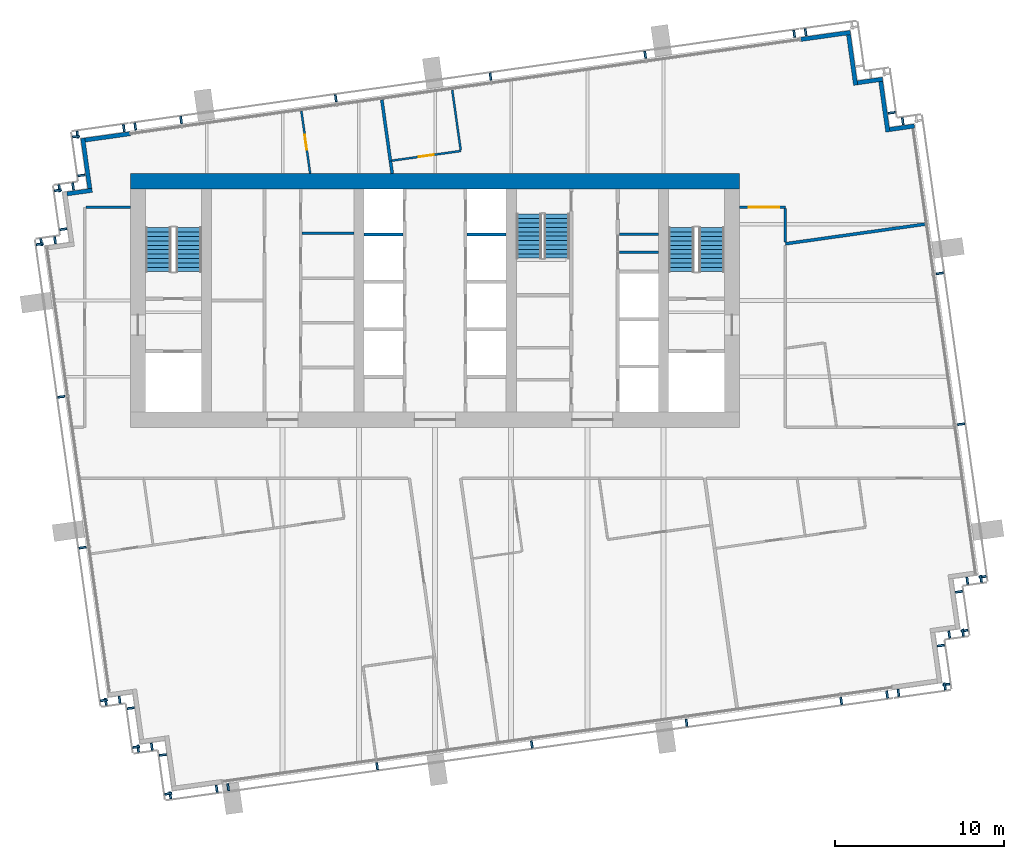
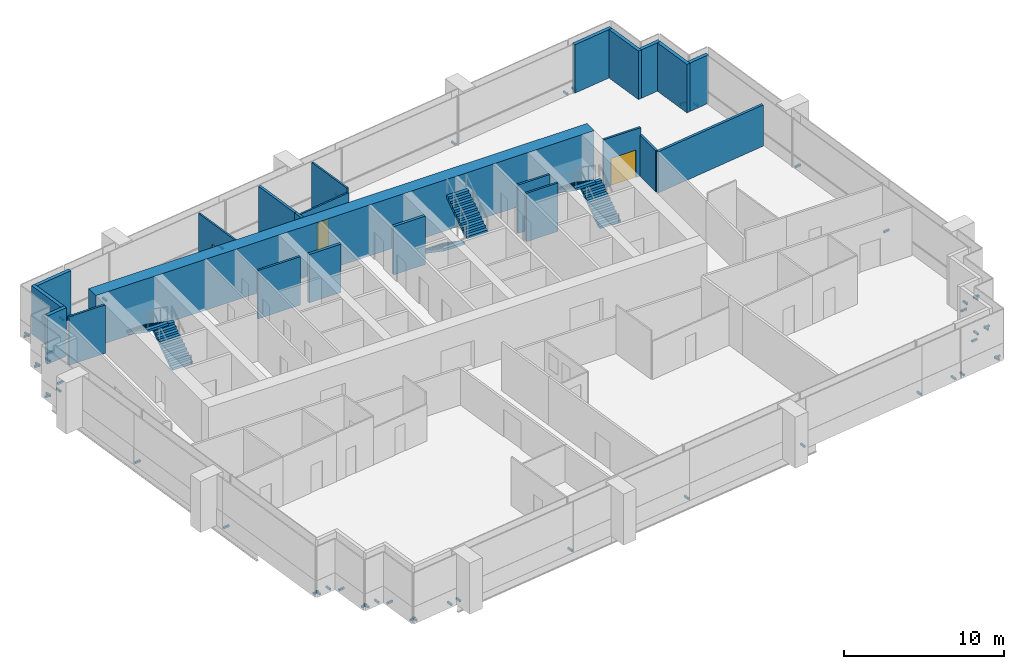
# One storey, part 12 of 18: 52 discrete accessories, 23 walls, 6 stair flights, 3 doors, 3 openings, 3 elements without a shape of their own.
"""IFC4 building model written with IfcOpenShell, lengths in metres."""

from ifc_helpers import new_model, si_unit, direction, frame, frame_2d, origin, origin_2d, place, context, subcontext, project, spatial, polyline, rectangle, outline, extrude, material, layer, layer_set, type_object, element, fill, aggregate, save


model = new_model("IFC4")

# Units and contexts
model_context = context("Model", 3, precision=1e-05, world=origin(), true_north=direction((0.0, 1.0)))
body_context = subcontext(model_context, "Body", "Model", "MODEL_VIEW")
ifc_project = project(units=[si_unit("LENGTHUNIT", "METRE"), si_unit("AREAUNIT", "SQUARE_METRE"), si_unit("VOLUMEUNIT", "CUBIC_METRE"), si_unit("PLANEANGLEUNIT", "RADIAN"), si_unit("MASSUNIT", "GRAM", prefix="KILO")], contexts=[model_context])

# Site, building, storey
site_placement = place(None, origin())
site = spatial("IfcSite", under=ifc_project, at=site_placement, CompositionType="ELEMENT")
building_placement = place(site_placement, origin())
building = spatial("IfcBuilding", under=site, at=building_placement, Name="Rattan Terrace Tower", CompositionType="ELEMENT")
storey_placement = place(building_placement, frame((0.0, 0.0, 233.0)))
storey = spatial("IfcBuildingStorey", under=building, at=storey_placement, Name="L53", CompositionType="ELEMENT", Elevation=233.0)

# Walls
ifc_material_1 = material(Name="Gypsum board partition")
ifc_layer_1 = layer(ifc_material_1, 0.14990234375)
ifc_layer_set_1 = layer_set([ifc_layer_1], Name="Core partition 150")
wall_type_1 = type_object("IfcWallType", Name="Core partition 150", PredefinedType="PARTITIONING", material=ifc_layer_set_1)
wall_1_placement = place(storey_placement, frame((-7.85009765625, 3.9599609375, 0.0), z_axis=(0.0, 0.0, 1.0), x_axis=(1.0, 0.0, 0.0)))
element("IfcWall", 1, at=wall_1_placement, inside=storey, type_object=wall_type_1, Name="Core room wall", PredefinedType="PARTITIONING", context=body_context, shape_type="SweptSolid", body=[
    extrude(rectangle(XDim=3.050048828125, YDim=0.14990234375, at=frame_2d((1.52490234375, 0.0))), origin(), (0.0, 0.0, 1.0), 3.699951171875),
])
for number, where, z_axis, x_axis, name in (
    (2, (10.89990234375, 2.85595703125, 0.0), (0.0, 0.0, 1.0), (1.0, 0.0, 0.0), "Riser room wall"),
    (3, (10.89990234375, 3.912109375, 0.0), (0.0, 0.0, 1.0), (1.0, 0.0, 0.0), "Riser room wall"),
):
    element("IfcWall", number, at=place(storey_placement, frame(where, z_axis=z_axis, x_axis=x_axis)), inside=storey, type_object=wall_type_1, Name=name, PredefinedType="PARTITIONING", context=body_context, shape_type="SweptSolid", body=[
        extrude(rectangle(XDim=2.300048828125, YDim=0.14990234375, at=frame_2d((1.14990234375, 0.0))), origin(), (0.0, 0.0, 1.0), 3.699951171875),
    ])
ifc_material_2 = material(Name="Concrete C50/60", Category="concrete")
ifc_layer_2 = layer(ifc_material_2, 0.89990234375)
ifc_layer_set_2 = layer_set([ifc_layer_2], Name="Core ring wall 900 C50/60")
wall_type_2 = type_object("IfcWallType", Name="Core ring wall 900 C50/60", PredefinedType="SHEAR", material=ifc_layer_set_2)
wall_2_placement = place(storey_placement, frame((-18.0, 7.050048828125, -0.199951171875), z_axis=(0.0, 0.0, 1.0), x_axis=(1.0, 0.0, 0.0)))
element("IfcWall", 4, at=wall_2_placement, inside=storey, type_object=wall_type_2, Name="Rear core wall north", PredefinedType="SHEAR", context=body_context, shape_type="SweptSolid", body=[
    extrude(rectangle(XDim=36.0, YDim=0.89990234375, at=frame_2d((18.0, 0.0))), origin(), (0.0, 0.0, 1.0), 3.89990234375),
])
ifc_material_3 = material(Name="Insulated aluminium-clad stud wall", Category="aluminium")
ifc_layer_3 = layer(ifc_material_3, 0.25)
ifc_layer_set_3 = layer_set([ifc_layer_3], Name="Facade Riser Wall 250")
wall_type_3 = type_object("IfcWallType", Name="Facade Riser Wall 250", PredefinedType="SOLIDWALL", material=ifc_layer_set_3)
wall_3_placement = place(storey_placement, frame((28.322265625, 10.308837890625, 0.0), z_axis=(0.0, 0.0, 1.0), x_axis=(-0.990235520307, -0.13940449893, 0.0)))
element("IfcWall", 5, at=wall_3_placement, inside=storey, type_object=wall_type_3, Name="Riser wall L53-6", PredefinedType="SOLIDWALL", context=body_context, shape_type="SweptSolid", body=[
    extrude(rectangle(XDim=1.474609375, YDim=0.25, at=frame_2d((0.7373046875, 0.0))), origin(), (0.0, 0.0, 1.0), 3.699951171875),
])
wall_4_placement = place(storey_placement, frame((26.755859375, 9.962158203125, 0.0), z_axis=(0.0, 0.0, 1.0), x_axis=(-0.139393225799, 0.990237107263, 0.0)))
element("IfcWall", 6, at=wall_4_placement, inside=storey, type_object=wall_type_3, Name="Riser wall L53-7", PredefinedType="SOLIDWALL", context=body_context, shape_type="SweptSolid", body=[
    extrude(rectangle(XDim=3.000244140625, YDim=0.25, at=frame_2d((1.5, 0.0))), origin(), (0.0, 0.0, 1.0), 3.699951171875),
])
wall_5_placement = place(storey_placement, frame((26.444091796875, 13.074462890625, 0.0), z_axis=(0.0, 0.0, 1.0), x_axis=(-0.990240434918, -0.139369584395, 0.0)))
element("IfcWall", 7, at=wall_5_placement, inside=storey, type_object=wall_type_3, Name="Riser wall L53-8", PredefinedType="SOLIDWALL", context=body_context, shape_type="SweptSolid", body=[
    extrude(rectangle(XDim=1.49951171875, YDim=0.25, at=frame_2d((0.749755859375, 0.0))), origin(), (0.0, 0.0, 1.0), 3.699951171875),
])
wall_6_placement = place(storey_placement, frame((24.852783203125, 12.72412109375, 0.0), z_axis=(0.0, 0.0, 1.0), x_axis=(-0.139302206688, 0.990249915532, 0.0)))
element("IfcWall", 8, at=wall_6_placement, inside=storey, type_object=wall_type_3, Name="Riser wall L53-9", PredefinedType="SOLIDWALL", context=body_context, shape_type="SweptSolid", body=[
    extrude(rectangle(XDim=3.00048828125, YDim=0.25, at=frame_2d((1.500244140625, 0.0))), origin(), (0.0, 0.0, 1.0), 3.699951171875),
])
wall_7_placement = place(storey_placement, frame((24.541015625, 15.83642578125, 0.0), z_axis=(0.0, 0.0, 1.0), x_axis=(-0.990285396533, -0.139049751574, 0.0)))
element("IfcWall", 9, at=wall_7_placement, inside=storey, type_object=wall_type_3, Name="Riser wall L53-10", PredefinedType="SOLIDWALL", context=body_context, shape_type="SweptSolid", body=[
    extrude(rectangle(XDim=2.955078125, YDim=0.25, at=frame_2d((1.4775390625, 0.0))), origin(), (0.0, 0.0, 1.0), 3.699951171875),
])
wall_8_placement = place(storey_placement, frame((-17.995361328125, 9.858642578125, 0.0), z_axis=(0.0, 0.0, 1.0), x_axis=(-0.99024510326, -0.139336411139, 0.0)))
element("IfcWall", 10, at=wall_8_placement, inside=storey, type_object=wall_type_3, Name="Riser wall L53-11", PredefinedType="SOLIDWALL", context=body_context, shape_type="SweptSolid", body=[
    extrude(rectangle(XDim=2.705322265625, YDim=0.25, at=frame_2d((1.3525390625, 0.0))), origin(), (0.0, 0.0, 1.0), 3.699951171875),
])
wall_9_placement = place(storey_placement, frame((-20.8154296875, 9.588134765625, 0.0), z_axis=(0.0, 0.0, 1.0), x_axis=(0.138983028379, -0.9902947631, 0.0)))
element("IfcWall", 11, at=wall_9_placement, inside=storey, type_object=wall_type_3, Name="Riser wall L53-12", PredefinedType="SOLIDWALL", context=body_context, shape_type="SweptSolid", body=[
    extrude(rectangle(XDim=3.000244140625, YDim=0.25, at=frame_2d((1.5, 0.0))), origin(), (0.0, 0.0, 1.0), 3.699951171875),
])
wall_10_placement = place(storey_placement, frame((-20.25732421875, 6.510498046875, 0.0), z_axis=(0.0, 0.0, 1.0), x_axis=(-0.990330117064, -0.138730887823, 0.0)))
element("IfcWall", 12, at=wall_10_placement, inside=storey, type_object=wall_type_3, Name="Riser wall L53-13", PredefinedType="SOLIDWALL", context=body_context, shape_type="SweptSolid", body=[
    extrude(rectangle(XDim=1.499267578125, YDim=0.25, at=frame_2d((0.74951171875, 0.0))), origin(), (0.0, 0.0, 1.0), 3.699951171875),
])
ifc_material_4 = material(Name="Double steel stud acoustic partition, gypsum board, mineral wool, fire rated", Category="steel")
ifc_layer_4 = layer(ifc_material_4, 0.179931640625)
ifc_layer_set_4 = layer_set([ifc_layer_4], Name="Floors Acoustic Party Wall 180")
wall_type_4 = type_object("IfcWallType", Name="Floors Acoustic Party Wall 180", PredefinedType="PARTITIONING", material=ifc_layer_set_4)
wall_11_placement = place(storey_placement, frame((-2.632080078125, 8.22998046875, 0.0), z_axis=(0.0, 0.0, 1.0), x_axis=(0.138452925943, -0.99036901572, 0.0)))
element("IfcWall", 13, at=wall_11_placement, inside=storey, type_object=wall_type_4, Name="pt-L53-047", PredefinedType="PARTITIONING", context=body_context, shape_type="SweptSolid", body=[
    extrude(rectangle(XDim=0.737060546875, YDim=0.179931640625, at=frame_2d((0.36865234375, 0.0))), origin(), (0.0, 0.0, 1.0), 3.699951171875),
])
wall_12_placement = place(storey_placement, frame((-3.14208984375, 11.85595703125, 0.0), z_axis=(0.0, 0.0, 1.0), x_axis=(0.139058624332, -0.990284150635, 0.0)))
element("IfcWall", 14, at=wall_12_placement, inside=storey, type_object=wall_type_4, Name="pt-L53-048", PredefinedType="PARTITIONING", context=body_context, shape_type="SweptSolid", body=[
    extrude(rectangle(XDim=3.66064453125, YDim=0.179931640625, at=frame_2d((1.830322265625, 0.0))), origin(), (0.0, 0.0, 1.0), 3.699951171875),
])
wall_13_placement = place(storey_placement, frame((20.699951171875, 3.35009765625, 0.0), z_axis=(0.0, 0.0, 1.0), x_axis=(0.990269965101, 0.139159606996, 0.0)))
element("IfcWall", 15, at=wall_13_placement, inside=storey, type_object=wall_type_4, Name="pt-L53-051", PredefinedType="PARTITIONING", context=body_context, shape_type="SweptSolid", body=[
    extrude(rectangle(XDim=8.328125, YDim=0.179931640625, at=frame_2d((4.1640625, 0.0))), origin(), (0.0, 0.0, 1.0), 3.14990234375),
])
ifc_material_5 = material(Name="Gypsum board partition on steel studs, fire rated", Category="steel")
ifc_layer_5 = layer(ifc_material_5, 0.14990234375)
ifc_layer_set_5 = layer_set([ifc_layer_5], Name="Floors Tenancy Wall 150")
wall_type_5 = type_object("IfcWallType", Name="Floors Tenancy Wall 150", PredefinedType="PARTITIONING", material=ifc_layer_set_5)
wall_14_placement = place(storey_placement, frame((-20.625, 5.5009765625, 0.0), z_axis=(0.0, 0.0, 1.0), x_axis=(1.0, 0.0, 0.0)))
element("IfcWall", 16, at=wall_14_placement, inside=storey, type_object=wall_type_5, Name="pt-L53-018", PredefinedType="PARTITIONING", context=body_context, shape_type="SweptSolid", body=[
    extrude(rectangle(XDim=2.625, YDim=0.14990234375, at=frame_2d((1.3125, 0.0))), origin(), (0.0, 0.0, 1.0), 3.699951171875),
])

# Wall, opening, door
wall_15_placement = place(storey_placement, frame((18.0, 5.5, 0.0), z_axis=(0.0, 0.0, 1.0), x_axis=(1.0, 0.0, 0.0)))
wall_15 = element("IfcWall", 17, at=wall_15_placement, inside=storey, type_object=wall_type_5, Name="pt-L53-023", PredefinedType="PARTITIONING", context=body_context, shape_type="SweptSolid", body=[
    extrude(rectangle(XDim=2.699951171875, YDim=0.14990234375, at=frame_2d((1.35009765625, 0.0))), origin(), (0.0, 0.0, 1.0), 3.699951171875),
])
opening_1_placement = place(wall_15_placement, frame((0.550048828125, 0.0, 0.0)))
opening_1 = element("IfcOpeningElement", 18, at=opening_1_placement, cuts=wall_15, Name="Opening L53-D116", PredefinedType="OPENING", context=body_context, shape_type="SweptSolid", body=[
    extrude(rectangle(XDim=1.800048828125, YDim=2.10009765625, at=frame_2d((0.89990234375, 1.050048828125))), frame((0.0, 0.08544921875, 0.0), z_axis=(0.0, -1.0, 0.0), x_axis=(1.0, 0.0, 0.0)), (0.0, 0.0, 1.0), 0.1708984375),
])
ifc_material_6 = material(Name="Steel fire door set", Category="steel")
door_type_1 = type_object("IfcDoorType", Name="Floors Fire Door Pair FD30S 1800x2100", OperationType="NOTDEFINED", PredefinedType="DOOR", material=ifc_material_6)
door_1_placement = place(opening_1_placement, origin())
door_1 = element("IfcDoor", 19, at=door_1_placement, inside=storey, type_object=door_type_1, Name="d-L53-116", OperationType="DOUBLE_DOOR_SINGLE_SWING", OverallHeight=2.10009765625, OverallWidth=1.800048828125, PredefinedType="DOOR", context=body_context, shape_type="SweptSolid", body=[
    extrude(rectangle(XDim=1.800048828125, YDim=2.10009765625, at=frame_2d((0.89990234375, 1.050048828125))), frame((0.0, 0.02490234375, 0.0), z_axis=(0.0, -1.0, 0.0), x_axis=(1.0, 0.0, 0.0)), (0.0, 0.0, 1.0), 0.050048828125),
])
fill(opening_1, door_1)

# Wall
wall_16_placement = place(storey_placement, frame((20.699951171875, 5.425048828125, 0.0), z_axis=(0.0, 0.0, 1.0), x_axis=(0.0, -1.0, 0.0)))
element("IfcWall", 20, at=wall_16_placement, inside=storey, type_object=wall_type_5, Name="pt-L53-024", PredefinedType="PARTITIONING", context=body_context, shape_type="SweptSolid", body=[
    extrude(rectangle(XDim=1.97412109375, YDim=0.14990234375, at=frame_2d((0.987060546875, 0.0))), origin(), (0.0, 0.0, 1.0), 3.14990234375),
])

# Wall, opening, door
ifc_material_7 = material(Name="Moisture resistant gypsum board partition on steel studs with service cavity", Category="steel")
ifc_layer_6 = layer(ifc_material_7, 0.1201171875)
ifc_layer_set_6 = layer_set([ifc_layer_6], Name="Floors Wet Wall 120")
wall_type_6 = type_object("IfcWallType", Name="Floors Wet Wall 120", PredefinedType="PARTITIONING", material=ifc_layer_set_6)
wall_17_placement = place(storey_placement, frame((-7.89501953125, 11.18798828125, 0.0), z_axis=(0.0, 0.0, 1.0), x_axis=(0.139108182039, -0.990277190331, 0.0)))
wall_17 = element("IfcWall", 21, at=wall_17_placement, inside=storey, type_object=wall_type_6, Name="pt-L53-046", PredefinedType="PARTITIONING", context=body_context, shape_type="SweptSolid", body=[
    extrude(rectangle(XDim=3.72412109375, YDim=0.1201171875, at=frame_2d((1.862060546875, 0.0))), origin(), (0.0, 0.0, 1.0), 3.699951171875),
])
opening_2_placement = place(wall_17_placement, frame((1.412109375, 0.0, 0.0)))
opening_2 = element("IfcOpeningElement", 22, at=opening_2_placement, cuts=wall_17, Name="Opening L53-D113", PredefinedType="OPENING", context=body_context, shape_type="SweptSolid", body=[
    extrude(rectangle(XDim=0.89990234375, YDim=2.10009765625, at=frame_2d((0.449951171875, 1.050048828125))), frame((0.0, 0.070556640625, 0.0), z_axis=(0.0, -1.0, 0.0), x_axis=(1.0, 0.0, 0.0)), (0.0, 0.0, 1.0), 0.14111328125),
])
ifc_material_8 = material(Name="Solid core timber door, painted", Category="wood")
door_type_2 = type_object("IfcDoorType", Name="Floors Door 900x2100", OperationType="NOTDEFINED", PredefinedType="DOOR", material=ifc_material_8)
door_2_placement = place(opening_2_placement, origin())
door_2 = element("IfcDoor", 23, at=door_2_placement, inside=storey, type_object=door_type_2, Name="d-L53-113", OperationType="SINGLE_SWING_RIGHT", OverallHeight=2.10009765625, OverallWidth=0.89990234375, PredefinedType="DOOR", context=body_context, shape_type="SweptSolid", body=[
    extrude(rectangle(XDim=0.89990234375, YDim=2.10009765625, at=frame_2d((0.449951171875, 1.050048828125))), frame((0.0, 0.02490234375, 0.0), z_axis=(0.0, -1.0, 0.0), x_axis=(1.0, 0.0, 0.0)), (0.0, 0.0, 1.0), 0.050048828125),
])
fill(opening_2, door_2)

wall_18_placement = place(storey_placement, frame((-2.5458984375, 8.261962890625, 0.0), z_axis=(0.0, 0.0, 1.0), x_axis=(0.990233783149, 0.139416837975, 0.0)))
wall_18 = element("IfcWall", 24, at=wall_18_placement, inside=storey, type_object=wall_type_6, Name="pt-L53-052", PredefinedType="PARTITIONING", context=body_context, shape_type="SweptSolid", body=[
    extrude(rectangle(XDim=4.10986328125, YDim=0.1201171875, at=frame_2d((2.054931640625, 0.0))), origin(), (0.0, 0.0, 1.0), 3.39990234375),
])
opening_3_placement = place(wall_18_placement, frame((1.60498046875, 0.0, 0.0)))
opening_3 = element("IfcOpeningElement", 25, at=opening_3_placement, cuts=wall_18, Name="Opening L53-D117", PredefinedType="OPENING", context=body_context, shape_type="SweptSolid", body=[
    extrude(rectangle(XDim=0.89990234375, YDim=2.10009765625, at=frame_2d((0.449951171875, 1.050048828125))), frame((0.0, 0.070556640625, 0.0), z_axis=(0.0, -1.0, 0.0), x_axis=(1.0, 0.0, 0.0)), (0.0, 0.0, 1.0), 0.14111328125),
])
door_3_placement = place(opening_3_placement, origin())
door_3 = element("IfcDoor", 26, at=door_3_placement, inside=storey, type_object=door_type_2, Name="d-L53-117", OperationType="SINGLE_SWING_RIGHT", OverallHeight=2.10009765625, OverallWidth=0.89990234375, PredefinedType="DOOR", context=body_context, shape_type="SweptSolid", body=[
    extrude(rectangle(XDim=0.89990234375, YDim=2.10009765625, at=frame_2d((0.449951171875, 1.050048828125))), frame((0.0, 0.02490234375, 0.0), z_axis=(0.0, -1.0, 0.0), x_axis=(1.0, 0.0, 0.0)), (0.0, 0.0, 1.0), 0.050048828125),
])
fill(opening_3, door_3)

# Walls
wall_19_placement = place(storey_placement, frame((1.51611328125, 8.89404296875, 0.0), z_axis=(0.0, 0.0, 1.0), x_axis=(-0.139321670591, 0.990247177276, 0.0)))
element("IfcWall", 27, at=wall_19_placement, inside=storey, type_object=wall_type_6, Name="pt-L53-053", PredefinedType="PARTITIONING", context=body_context, shape_type="SweptSolid", body=[
    extrude(rectangle(XDim=3.581787109375, YDim=0.1201171875, at=frame_2d((1.791015625, 0.0))), origin(), (0.0, 0.0, 1.0), 3.699951171875),
])
ifc_material_9 = material(Name="Gypsum shaft wall system")
ifc_layer_7 = layer(ifc_material_9, 0.199951171875)
ifc_layer_set_7 = layer_set([ifc_layer_7], Name="Lift shaft wall 200")
wall_type_7 = type_object("IfcWallType", Name="Lift shaft wall 200", PredefinedType="PARTITIONING", material=ifc_layer_set_7)
for number, where, z_axis, x_axis, name in (
    (28, (-4.199951171875, 3.89990234375, 0.0), (0.0, 0.0, 1.0), (1.0, 0.0, 0.0), "Lift shaft wall"),
    (29, (1.89990234375, 3.89990234375, 0.0), (0.0, 0.0, 1.0), (1.0, 0.0, 0.0), "Lift shaft wall"),
):
    element("IfcWall", number, at=place(storey_placement, frame(where, z_axis=z_axis, x_axis=x_axis)), inside=storey, type_object=wall_type_7, Name=name, PredefinedType="PARTITIONING", context=body_context, shape_type="SweptSolid", body=[
        extrude(rectangle(XDim=2.300048828125, YDim=0.199951171875, at=frame_2d((1.14990234375, 0.0))), origin(), (0.0, 0.0, 1.0), 3.699951171875),
    ])

# Stair, stair flights
ifc_material_10 = material(Name="Concrete C40/50", Category="concrete")
stair_type = type_object("IfcStairType", Name="Core exit stair 1500", PredefinedType="HALF_TURN_STAIR", material=ifc_material_10)
stair_1_placement = place(storey_placement, origin())
stair_1 = element("IfcStair", 30, at=stair_1_placement, inside=storey, type_object=stair_type, Name="L53 exit stair 1", PredefinedType="HALF_TURN_STAIR")
ifc_material_11 = material(Name="Concrete C40/50", Category="concrete")
stair_flight_type = type_object("IfcStairFlightType", Name="Core exit stair flight 1500", PredefinedType="STRAIGHT", material=ifc_material_11)
stair_flight_1_placement = place(storey_placement, frame((-14.550048828125, 1.699951171875, 0.0), z_axis=(0.0, 0.0, 1.0), x_axis=(0.0, 1.0, 0.0)))
stair_flight_1 = element("IfcStairFlight", 31, at=stair_flight_1_placement, type_object=stair_flight_type, Name="S1 flight 1", NumberOfRisers=11, NumberOfTreads=10, PredefinedType="STRAIGHT", RiserHeight=0.177272727, TreadLength=0.26, context=body_context, shape_type="SweptSolid", body=[
    extrude(outline(polyline([(0.0, 0.0), (0.0, 0.17724609375), (0.260009765625, 0.17724609375), (0.260009765625, 0.3544921875), (0.52001953125, 0.3544921875), (0.52001953125, 0.53173828125), (0.780029296875, 0.53173828125), (0.780029296875, 0.708984375), (1.0400390625, 0.708984375), (1.0400390625, 0.886474609375), (1.300048828125, 0.886474609375), (1.300048828125, 1.063720703125), (1.56005859375, 1.063720703125), (1.56005859375, 1.240966796875), (1.820068359375, 1.240966796875), (1.820068359375, 1.418212890625), (2.080078125, 1.418212890625), (2.080078125, 1.595458984375), (2.340087890625, 1.595458984375), (2.340087890625, 1.772705078125), (2.60009765625, 1.772705078125), (2.60009765625, 1.949951171875), (2.60009765625, 1.59130859375), (0.26611328125, 0.0), (0.0, 0.0)])), frame((0.0, 0.75, 0.0), z_axis=(0.0, -1.0, 0.0), x_axis=(1.0, 0.0, 0.0)), (0.0, 0.0, 1.0), 1.5),
])
stair_flight_2_placement = place(storey_placement, frame((-16.35009765625, 4.300048828125, 1.949951171875), z_axis=(0.0, 0.0, 1.0), x_axis=(0.0, -1.0, 0.0)))
stair_flight_2 = element("IfcStairFlight", 32, at=stair_flight_2_placement, type_object=stair_flight_type, Name="S1 flight 2", NumberOfRisers=11, NumberOfTreads=10, PredefinedType="STRAIGHT", RiserHeight=0.177272727, TreadLength=0.26, context=body_context, shape_type="SweptSolid", body=[
    extrude(outline(polyline([(0.0, 0.0), (0.0, 0.17724609375), (0.260009765625, 0.17724609375), (0.260009765625, 0.3544921875), (0.52001953125, 0.3544921875), (0.52001953125, 0.53173828125), (0.780029296875, 0.53173828125), (0.780029296875, 0.708984375), (1.0400390625, 0.708984375), (1.0400390625, 0.886474609375), (1.300048828125, 0.886474609375), (1.300048828125, 1.063720703125), (1.56005859375, 1.063720703125), (1.56005859375, 1.240966796875), (1.820068359375, 1.240966796875), (1.820068359375, 1.418212890625), (2.080078125, 1.418212890625), (2.080078125, 1.595458984375), (2.340087890625, 1.595458984375), (2.340087890625, 1.772705078125), (2.60009765625, 1.772705078125), (2.60009765625, 1.949951171875), (2.60009765625, 1.59130859375), (0.26611328125, 0.0), (0.0, 0.0)])), frame((0.0, 0.75, 0.0), z_axis=(0.0, -1.0, 0.0), x_axis=(1.0, 0.0, 0.0)), (0.0, 0.0, 1.0), 1.5),
])
aggregate(stair_1, [stair_flight_1, stair_flight_2])

stair_2_placement = place(storey_placement, origin())
stair_2 = element("IfcStair", 33, at=stair_2_placement, inside=storey, type_object=stair_type, Name="L53 exit stair 2", PredefinedType="HALF_TURN_STAIR")
stair_flight_3_placement = place(storey_placement, frame((16.35009765625, 1.699951171875, 0.0), z_axis=(0.0, 0.0, 1.0), x_axis=(0.0, 1.0, 0.0)))
stair_flight_3 = element("IfcStairFlight", 34, at=stair_flight_3_placement, type_object=stair_flight_type, Name="S2 flight 1", NumberOfRisers=11, NumberOfTreads=10, PredefinedType="STRAIGHT", RiserHeight=0.177272727, TreadLength=0.26, context=body_context, shape_type="SweptSolid", body=[
    extrude(outline(polyline([(0.0, 0.0), (0.0, 0.17724609375), (0.260009765625, 0.17724609375), (0.260009765625, 0.3544921875), (0.52001953125, 0.3544921875), (0.52001953125, 0.53173828125), (0.780029296875, 0.53173828125), (0.780029296875, 0.708984375), (1.0400390625, 0.708984375), (1.0400390625, 0.886474609375), (1.300048828125, 0.886474609375), (1.300048828125, 1.063720703125), (1.56005859375, 1.063720703125), (1.56005859375, 1.240966796875), (1.820068359375, 1.240966796875), (1.820068359375, 1.418212890625), (2.080078125, 1.418212890625), (2.080078125, 1.595458984375), (2.340087890625, 1.595458984375), (2.340087890625, 1.772705078125), (2.60009765625, 1.772705078125), (2.60009765625, 1.949951171875), (2.60009765625, 1.59130859375), (0.26611328125, 0.0), (0.0, 0.0)])), frame((0.0, 0.75, 0.0), z_axis=(0.0, -1.0, 0.0), x_axis=(1.0, 0.0, 0.0)), (0.0, 0.0, 1.0), 1.5),
])
stair_flight_4_placement = place(storey_placement, frame((14.550048828125, 4.300048828125, 1.949951171875), z_axis=(0.0, 0.0, 1.0), x_axis=(0.0, -1.0, 0.0)))
stair_flight_4 = element("IfcStairFlight", 35, at=stair_flight_4_placement, type_object=stair_flight_type, Name="S2 flight 2", NumberOfRisers=11, NumberOfTreads=10, PredefinedType="STRAIGHT", RiserHeight=0.177272727, TreadLength=0.26, context=body_context, shape_type="SweptSolid", body=[
    extrude(outline(polyline([(0.0, 0.0), (0.0, 0.17724609375), (0.260009765625, 0.17724609375), (0.260009765625, 0.3544921875), (0.52001953125, 0.3544921875), (0.52001953125, 0.53173828125), (0.780029296875, 0.53173828125), (0.780029296875, 0.708984375), (1.0400390625, 0.708984375), (1.0400390625, 0.886474609375), (1.300048828125, 0.886474609375), (1.300048828125, 1.063720703125), (1.56005859375, 1.063720703125), (1.56005859375, 1.240966796875), (1.820068359375, 1.240966796875), (1.820068359375, 1.418212890625), (2.080078125, 1.418212890625), (2.080078125, 1.595458984375), (2.340087890625, 1.595458984375), (2.340087890625, 1.772705078125), (2.60009765625, 1.772705078125), (2.60009765625, 1.949951171875), (2.60009765625, 1.59130859375), (0.26611328125, 0.0), (0.0, 0.0)])), frame((0.0, 0.75, 0.0), z_axis=(0.0, -1.0, 0.0), x_axis=(1.0, 0.0, 0.0)), (0.0, 0.0, 1.0), 1.5),
])
aggregate(stair_2, [stair_flight_3, stair_flight_4])

stair_3_placement = place(storey_placement, origin())
stair_3 = element("IfcStair", 36, at=stair_3_placement, inside=storey, type_object=stair_type, Name="L53 exit stair 3", PredefinedType="HALF_TURN_STAIR")
stair_flight_5_placement = place(storey_placement, frame((5.550048828125, 5.10009765625, 0.0), z_axis=(0.0, 0.0, 1.0), x_axis=(0.0, -1.0, 0.0)))
stair_flight_5 = element("IfcStairFlight", 37, at=stair_flight_5_placement, type_object=stair_flight_type, Name="S3 flight 1", NumberOfRisers=11, NumberOfTreads=10, PredefinedType="STRAIGHT", RiserHeight=0.177272727, TreadLength=0.26, context=body_context, shape_type="SweptSolid", body=[
    extrude(outline(polyline([(0.0, 0.0), (0.0, 0.17724609375), (0.260009765625, 0.17724609375), (0.260009765625, 0.3544921875), (0.52001953125, 0.3544921875), (0.52001953125, 0.53173828125), (0.780029296875, 0.53173828125), (0.780029296875, 0.708984375), (1.0400390625, 0.708984375), (1.0400390625, 0.886474609375), (1.300048828125, 0.886474609375), (1.300048828125, 1.063720703125), (1.56005859375, 1.063720703125), (1.56005859375, 1.240966796875), (1.820068359375, 1.240966796875), (1.820068359375, 1.418212890625), (2.080078125, 1.418212890625), (2.080078125, 1.595458984375), (2.340087890625, 1.595458984375), (2.340087890625, 1.772705078125), (2.60009765625, 1.772705078125), (2.60009765625, 1.949951171875), (2.60009765625, 1.59130859375), (0.26611328125, 0.0), (0.0, 0.0)])), frame((0.0, 0.75, 0.0), z_axis=(0.0, -1.0, 0.0), x_axis=(1.0, 0.0, 0.0)), (0.0, 0.0, 1.0), 1.5),
])
stair_flight_6_placement = place(storey_placement, frame((7.199951171875, 2.5, 1.949951171875), z_axis=(0.0, 0.0, 1.0), x_axis=(0.0, 1.0, 0.0)))
stair_flight_6 = element("IfcStairFlight", 38, at=stair_flight_6_placement, type_object=stair_flight_type, Name="S3 flight 2", NumberOfRisers=11, NumberOfTreads=10, PredefinedType="STRAIGHT", RiserHeight=0.177272727, TreadLength=0.26, context=body_context, shape_type="SweptSolid", body=[
    extrude(outline(polyline([(0.0, 0.0), (0.0, 0.17724609375), (0.260009765625, 0.17724609375), (0.260009765625, 0.3544921875), (0.52001953125, 0.3544921875), (0.52001953125, 0.53173828125), (0.780029296875, 0.53173828125), (0.780029296875, 0.708984375), (1.0400390625, 0.708984375), (1.0400390625, 0.886474609375), (1.300048828125, 0.886474609375), (1.300048828125, 1.063720703125), (1.56005859375, 1.063720703125), (1.56005859375, 1.240966796875), (1.820068359375, 1.240966796875), (1.820068359375, 1.418212890625), (2.080078125, 1.418212890625), (2.080078125, 1.595458984375), (2.340087890625, 1.595458984375), (2.340087890625, 1.772705078125), (2.60009765625, 1.772705078125), (2.60009765625, 1.949951171875), (2.60009765625, 1.59130859375), (0.26611328125, 0.0), (0.0, 0.0)])), frame((0.0, 0.75, 0.0), z_axis=(0.0, -1.0, 0.0), x_axis=(1.0, 0.0, 0.0)), (0.0, 0.0, 1.0), 1.5),
])
aggregate(stair_3, [stair_flight_5, stair_flight_6])

# Discrete accessories
for number, where, z_axis, x_axis, name in (
    (39, (27.385009765625, -23.1875, -0.169921875), (0.0, 0.0, 1.0), (0.990247240581, 0.139321220646, 0.0), "Panel bracket L53-1"),
    (40, (30.1279296875, -22.8017578125, -0.169921875), (0.0, 0.0, 1.0), (0.990247240581, 0.139321220646, 0.0), "Panel bracket L53-2"),
    (41, (30.213134765625, -22.6884765625, -0.169921875), (0.0, 0.0, 1.0), (-0.138994363123, 0.990293172258, 0.0), "Panel bracket L53-3"),
    (42, (29.890869140625, -20.391357421875, -0.169921875), (0.0, 0.0, 1.0), (-0.138994363123, 0.990293172258, 0.0), "Panel bracket L53-4"),
    (43, (30.384521484375, -19.736328125, -0.169921875), (0.0, 0.0, 1.0), (0.990332587523, 0.138713251317, 0.0), "Panel bracket L53-5"),
    (44, (31.1962890625, -19.62255859375, -0.169921875), (0.0, 0.0, 1.0), (0.990332587523, 0.138713251317, 0.0), "Panel bracket L53-6"),
    (45, (31.28125, -19.510009765625, -0.169921875), (0.0, 0.0, 1.0), (-0.139321220646, 0.990247240581, 0.0), "Panel bracket L53-7"),
    (46, (30.9580078125, -17.212158203125, -0.169921875), (0.0, 0.0, 1.0), (-0.139321220646, 0.990247240581, 0.0), "Panel bracket L53-8"),
    (47, (31.45166015625, -16.556884765625, -0.169921875), (0.0, 0.0, 1.0), (0.99025370695, 0.139275252184, 0.0), "Panel bracket L53-9"),
    (48, (32.26416015625, -16.442626953125, -0.169921875), (0.0, 0.0, 1.0), (0.99025370695, 0.139275252184, 0.0), "Panel bracket L53-10"),
    (49, (32.349365234375, -16.32958984375, -0.169921875), (0.0, 0.0, 1.0), (-0.139186165309, 0.990266232579, 0.0), "Panel bracket L53-11"),
    (50, (31.081298828125, -7.308349609375, -0.169921875), (0.0, 0.0, 1.0), (-0.139186165309, 0.990266232579, 0.0), "Panel bracket L53-12"),
    (51, (29.82861328125, 1.60400390625, -0.169921875), (0.0, 0.0, 1.0), (-0.139186165309, 0.990266232579, 0.0), "Panel bracket L53-13"),
    (52, (27.635986328125, 10.595947265625, -0.169921875), (0.0, 0.0, 1.0), (-0.990240767803, -0.139367219175, 0.0), "Panel bracket L53-16"),
    (53, (26.98095703125, 11.089599609375, -0.169921875), (0.0, 0.0, 1.0), (-0.139321220646, 0.990247240581, 0.0), "Panel bracket L53-17"),
    (54, (21.8984375, 15.84912109375, -0.169921875), (0.0, 0.0, 1.0), (-0.990293172258, -0.138994363123, 0.0), "Panel bracket L53-24"),
    (55, (21.22509765625, 15.754638671875, -0.169921875), (0.0, 0.0, 1.0), (-0.990267457022, -0.139177453499, 0.0), "Panel bracket L53-25"),
    (56, (12.420654296875, 14.517333984375, -0.169921875), (0.0, 0.0, 1.0), (-0.990267457022, -0.139177453499, 0.0), "Panel bracket L53-26"),
    (57, (3.279541015625, 13.232421875, -0.169921875), (0.0, 0.0, 1.0), (-0.990267457022, -0.139177453499, 0.0), "Panel bracket L53-27"),
    (58, (-5.861572265625, 11.94775390625, -0.169921875), (0.0, 0.0, 1.0), (-0.990267457022, -0.139177453499, 0.0), "Panel bracket L53-28"),
    (59, (-15.0029296875, 10.6630859375, -0.169921875), (0.0, 0.0, 1.0), (-0.990267457022, -0.139177453499, 0.0), "Panel bracket L53-29"),
    (60, (-17.711669921875, 10.2822265625, -0.169921875), (0.0, 0.0, 1.0), (-0.990267457022, -0.139177453499, 0.0), "Panel bracket L53-30"),
    (61, (-18.385009765625, 10.1875, -0.169921875), (0.0, 0.0, 1.0), (-0.990247240581, -0.139321220646, 0.0), "Panel bracket L53-31"),
    (62, (-21.1279296875, 9.8017578125, -0.169921875), (0.0, 0.0, 1.0), (-0.990247240581, -0.139321220646, 0.0), "Panel bracket L53-32"),
    (63, (-21.213134765625, 9.6884765625, -0.169921875), (0.0, 0.0, 1.0), (0.138994363123, -0.990293172258, 0.0), "Panel bracket L53-33"),
    (64, (-20.890869140625, 7.391357421875, -0.169921875), (0.0, 0.0, 1.0), (0.138994363123, -0.990293172258, 0.0), "Panel bracket L53-34"),
    (65, (-21.384521484375, 6.736328125, -0.169921875), (0.0, 0.0, 1.0), (-0.990332587523, -0.138713251317, 0.0), "Panel bracket L53-35"),
    (66, (-22.1962890625, 6.62255859375, -0.169921875), (0.0, 0.0, 1.0), (-0.990332587523, -0.138713251317, 0.0), "Panel bracket L53-36"),
    (67, (-22.28125, 6.510009765625, -0.169921875), (0.0, 0.0, 1.0), (0.139321220646, -0.990247240581, 0.0), "Panel bracket L53-37"),
    (68, (-21.9580078125, 4.212158203125, -0.169921875), (0.0, 0.0, 1.0), (0.139321220646, -0.990247240581, 0.0), "Panel bracket L53-38"),
    (69, (-22.45166015625, 3.556884765625, -0.169921875), (0.0, 0.0, 1.0), (-0.99025370695, -0.139275252184, 0.0), "Panel bracket L53-39"),
    (70, (-23.26416015625, 3.442626953125, -0.169921875), (0.0, 0.0, 1.0), (-0.99025370695, -0.139275252184, 0.0), "Panel bracket L53-40"),
    (71, (-23.349365234375, 3.32958984375, -0.169921875), (0.0, 0.0, 1.0), (0.139186165309, -0.990266232579, 0.0), "Panel bracket L53-41"),
    (72, (-22.081298828125, -5.691650390625, -0.169921875), (0.0, 0.0, 1.0), (0.139186165309, -0.990266232579, 0.0), "Panel bracket L53-42"),
    (73, (-20.82861328125, -14.60400390625, -0.169921875), (0.0, 0.0, 1.0), (0.139186165309, -0.990266232579, 0.0), "Panel bracket L53-43"),
    (74, (-19.560546875, -23.625244140625, -0.169921875), (0.0, 0.0, 1.0), (0.139186165309, -0.990266232579, 0.0), "Panel bracket L53-44"),
    (75, (-19.44775390625, -23.710205078125, -0.169921875), (0.0, 0.0, 1.0), (0.990240767803, 0.139367219175, 0.0), "Panel bracket L53-45"),
    (76, (-18.635986328125, -23.595947265625, -0.169921875), (0.0, 0.0, 1.0), (0.990240767803, 0.139367219175, 0.0), "Panel bracket L53-46"),
    (77, (-17.98095703125, -24.089599609375, -0.169921875), (0.0, 0.0, 1.0), (0.139321220646, -0.990247240581, 0.0), "Panel bracket L53-47"),
    (78, (-17.65771484375, -26.38720703125, -0.169921875), (0.0, 0.0, 1.0), (0.139321220646, -0.990247240581, 0.0), "Panel bracket L53-48"),
    (79, (-17.544677734375, -26.47216796875, -0.169921875), (0.0, 0.0, 1.0), (0.990240767803, 0.139367219175, 0.0), "Panel bracket L53-49"),
    (80, (-16.733154296875, -26.358154296875, -0.169921875), (0.0, 0.0, 1.0), (0.990240767803, 0.139367219175, 0.0), "Panel bracket L53-50"),
    (81, (-16.077880859375, -26.8515625, -0.169921875), (0.0, 0.0, 1.0), (0.139321220646, -0.990247240581, 0.0), "Panel bracket L53-51"),
    (82, (-15.754638671875, -29.14892578125, -0.169921875), (0.0, 0.0, 1.0), (0.139321220646, -0.990247240581, 0.0), "Panel bracket L53-52"),
    (83, (-15.6416015625, -29.234130859375, -0.169921875), (0.0, 0.0, 1.0), (0.990293172258, 0.138994363123, 0.0), "Panel bracket L53-53"),
    (84, (-12.8984375, -28.84912109375, -0.169921875), (0.0, 0.0, 1.0), (0.990293172258, 0.138994363123, 0.0), "Panel bracket L53-54"),
    (85, (-12.22509765625, -28.754638671875, -0.169921875), (0.0, 0.0, 1.0), (0.990267457022, 0.139177453499, 0.0), "Panel bracket L53-55"),
    (86, (-3.420654296875, -27.517333984375, -0.169921875), (0.0, 0.0, 1.0), (0.990267457022, 0.139177453499, 0.0), "Panel bracket L53-56"),
    (87, (5.720458984375, -26.232421875, -0.169921875), (0.0, 0.0, 1.0), (0.990267457022, 0.139177453499, 0.0), "Panel bracket L53-57"),
    (88, (14.861572265625, -24.94775390625, -0.169921875), (0.0, 0.0, 1.0), (0.990267457022, 0.139177453499, 0.0), "Panel bracket L53-58"),
    (89, (24.0029296875, -23.6630859375, -0.169921875), (0.0, 0.0, 1.0), (0.990267457022, 0.139177453499, 0.0), "Panel bracket L53-59"),
    (90, (26.711669921875, -23.2822265625, -0.169921875), (0.0, 0.0, 1.0), (0.990267457022, 0.139177453499, 0.0), "Panel bracket L53-60"),
):
    element("IfcDiscreteAccessory", number, at=place(storey_placement, frame(where, z_axis=z_axis, x_axis=x_axis)), inside=storey, Name=name, PredefinedType="BRACKET", context=body_context, shape_type="SweptSolid", body=[
        extrude(rectangle(XDim=0.1201171875, YDim=0.419921875, at=origin_2d()), origin(), (0.0, 0.0, 1.0), 0.139892578125),
    ])

save(model, "model.ifc")
